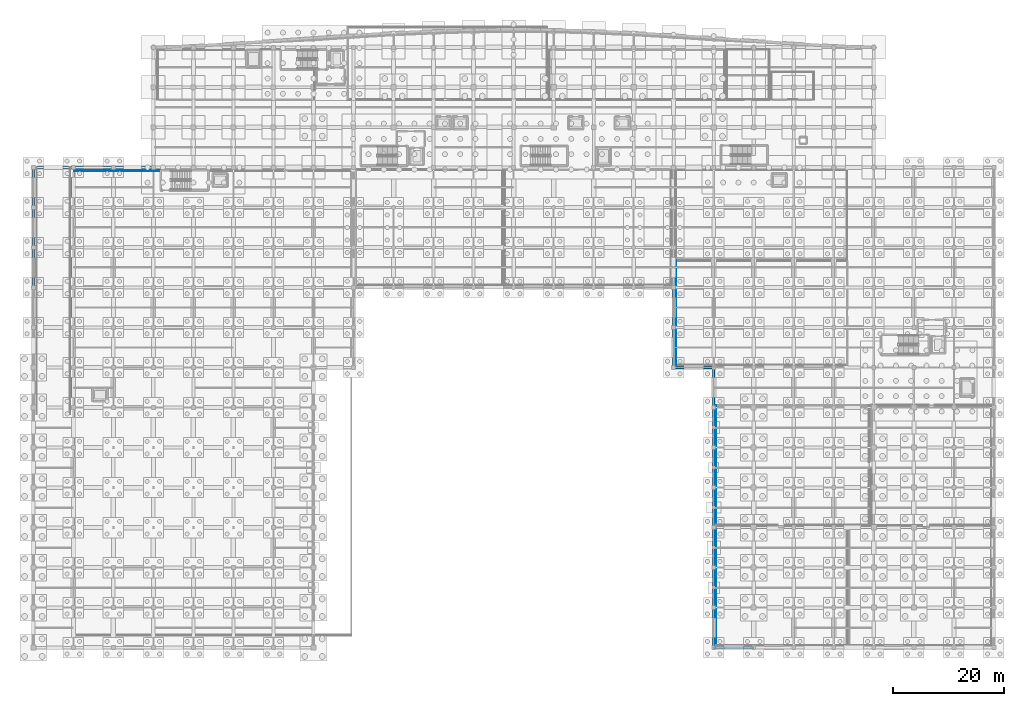
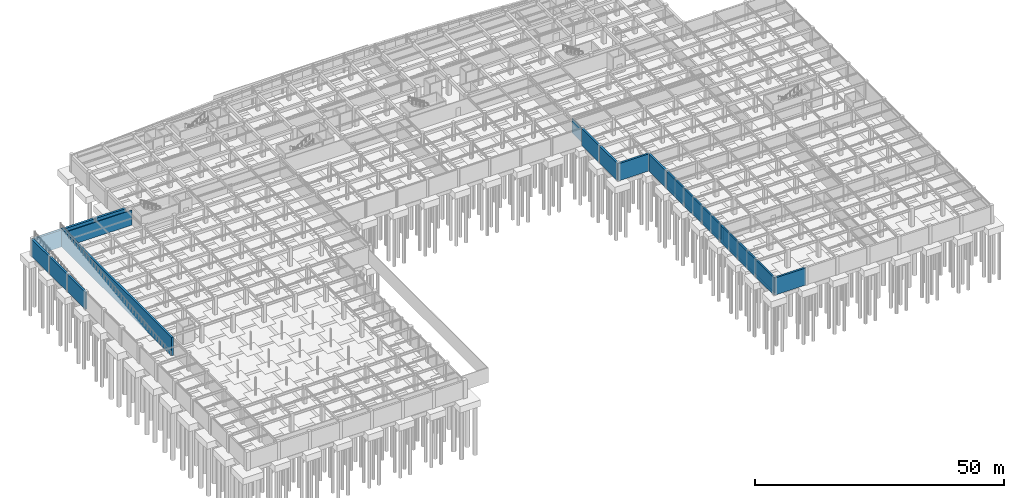
# One storey, part 35 of 48: 22 walls.
"""IFC4 building model written with IfcOpenShell, lengths in metres."""

from ifc_helpers import new_model, si_unit, direction, frame, frame_2d, origin, place, context, subcontext, project, spatial, rectangle, extrude, material, layer, layer_set, type_object, element, save


model = new_model("IFC4")

# Units and contexts
model_context = context("Model", 3, precision=1e-05, world=origin(), true_north=direction((0.0, 1.0)))
body_context = subcontext(model_context, "Body", "Model", "MODEL_VIEW")
ifc_project = project(units=[si_unit("LENGTHUNIT", "METRE"), si_unit("AREAUNIT", "SQUARE_METRE"), si_unit("VOLUMEUNIT", "CUBIC_METRE"), si_unit("PLANEANGLEUNIT", "RADIAN"), si_unit("MASSUNIT", "GRAM", prefix="KILO")], contexts=[model_context])

# Site, building, storey
site_placement = place(None, origin())
site = spatial("IfcSite", under=ifc_project, at=site_placement, CompositionType="ELEMENT")
building_placement = place(site_placement, origin())
building = spatial("IfcBuilding", under=site, at=building_placement, Name="Carrowvane Square Congress Hotel", CompositionType="ELEMENT")
storey_placement = place(building_placement, frame((0.0, 0.0, -4.5)))
storey = spatial("IfcBuildingStorey", under=building, at=storey_placement, Name="B01", CompositionType="ELEMENT", Elevation=-4.5)

# Walls
ifc_material_1 = material(Name="Acoustic gypsum board", Category="gypsum")
ifc_layer_1 = layer(ifc_material_1, 0.169921875)
ifc_layer_set_1 = layer_set([ifc_layer_1], Name="Acoustic gypsum board")
wall_type_1 = type_object("IfcWallType", Name="WL-FIR-170", PredefinedType="PARTITIONING", material=ifc_layer_set_1)
wall_1_placement = place(storey_placement, frame((134.39990234375, 5.800048828125, 0.0), z_axis=(0.0, 0.0, 1.0), x_axis=(0.0, 1.0, 0.0)))
element("IfcWall", 1, at=wall_1_placement, inside=storey, type_object=wall_type_1, Name="B01 ESB MV Substation and LV Switchroom partition", PredefinedType="PARTITIONING", context=body_context, shape_type="SweptSolid", body=[
    extrude(rectangle(XDim=20.7900390625, YDim=0.169921875, at=frame_2d((10.39501953125, 0.0))), origin(), (0.0, 0.0, 1.0), 3.648193359375),
])
ifc_material_2 = material(Name="Acoustic gypsum board", Category="gypsum")
ifc_layer_2 = layer(ifc_material_2, 0.137939453125)
ifc_layer_set_2 = layer_set([ifc_layer_2], Name="Acoustic gypsum board")
wall_type_2 = type_object("IfcWallType", Name="WL-PRT-138", PredefinedType="PARTITIONING", material=ifc_layer_set_2)
wall_2_placement = place(storey_placement, frame((134.39990234375, 27.39990234375, 0.0), z_axis=(0.0, 0.0, 1.0), x_axis=(0.0, 1.0, 0.0)))
element("IfcWall", 2, at=wall_2_placement, inside=storey, type_object=wall_type_2, Name="B01 Sprinkler Tank and Fire Pump Room partition", PredefinedType="PARTITIONING", context=body_context, shape_type="SweptSolid", body=[
    extrude(rectangle(XDim=21.60009765625, YDim=0.137939453125, at=frame_2d((10.800048828125, 0.0))), origin(), (0.0, 0.0, 1.0), 3.648193359375),
])
ifc_material_3 = material(Name="Acoustic gypsum board", Category="gypsum")
ifc_layer_3 = layer(ifc_material_3, 0.14794921875)
ifc_layer_set_3 = layer_set([ifc_layer_3], Name="Acoustic gypsum board")
wall_type_3 = type_object("IfcWallType", Name="WL-PRT-148", PredefinedType="PARTITIONING", material=ifc_layer_set_3)
wall_3_placement = place(storey_placement, frame((19.0, 91.199951171875, 0.0), z_axis=(0.0, 0.0, 1.0), x_axis=(1.0, 0.0, 0.0)))
element("IfcWall", 3, at=wall_3_placement, inside=storey, type_object=wall_type_3, Name="B01 Underground Car Park Loop and Bays partition", PredefinedType="PARTITIONING", context=body_context, shape_type="SweptSolid", body=[
    extrude(rectangle(XDim=15.330078125, YDim=0.14794921875, at=frame_2d((7.6650390625, 0.0))), origin(), (0.0, 0.0, 1.0), 3.648193359375),
])
wall_4_placement = place(storey_placement, frame((127.199951171875, 56.199951171875, 0.0), z_axis=(0.0, 0.0, 1.0), x_axis=(0.0, 1.0, 0.0)))
element("IfcWall", 4, at=wall_4_placement, inside=storey, type_object=wall_type_3, Name="B01 Central Chiller and Heat-Pump Plant Room partition", PredefinedType="PARTITIONING", context=body_context, shape_type="SweptSolid", body=[
    extrude(rectangle(XDim=18.800048828125, YDim=0.14794921875, at=frame_2d((9.39990234375, 0.0))), origin(), (0.0, 0.0, 1.0), 3.534912109375),
])
ifc_material_4 = material(Name="Concrete C35/45", Category="concrete")
ifc_layer_4 = layer(ifc_material_4, 0.449951171875)
ifc_layer_set_4 = layer_set([ifc_layer_4], Name="Concrete C35/45")
wall_type_4 = type_object("IfcWallType", Name="WL-RET-450", PredefinedType="SOLIDWALL", material=ifc_layer_set_4)
wall_5_placement = place(storey_placement, frame((11.60009765625, 70.199951171875, 0.0), z_axis=(0.0, 0.0, 1.0), x_axis=(0.0, 1.0, 0.0)))
element("IfcWall", 5, at=wall_5_placement, inside=storey, type_object=wall_type_4, Name="B01 perimeter retaining wall 10", PredefinedType="SOLIDWALL", context=body_context, shape_type="SweptSolid", body=[
    extrude(rectangle(XDim=7.199951171875, YDim=0.449951171875, at=frame_2d((3.60009765625, 0.0))), origin(), (0.0, 0.0, 1.0), 4.199951171875),
])
wall_6_placement = place(storey_placement, frame((11.60009765625, 77.39990234375, 0.0), z_axis=(0.0, 0.0, 1.0), x_axis=(0.0, 1.0, 0.0)))
element("IfcWall", 6, at=wall_6_placement, inside=storey, type_object=wall_type_4, Name="B01 perimeter retaining wall 11", PredefinedType="SOLIDWALL", context=body_context, shape_type="SweptSolid", body=[
    extrude(rectangle(XDim=7.2001953125, YDim=0.449951171875, at=frame_2d((3.60009765625, 0.0))), origin(), (0.0, 0.0, 1.0), 4.199951171875),
])
for number, where, z_axis, x_axis, name in (
    (7, (11.60009765625, 84.60009765625, 0.0), (0.0, 0.0, 1.0), (0.0, 1.0, 0.0), "B01 perimeter retaining wall 12"),
    (8, (141.199951171875, 5.39990234375, 0.0), (0.0, 0.0, 1.0), (-1.0, 0.0, 0.0), "B01 perimeter retaining wall 97"),
):
    element("IfcWall", number, at=place(storey_placement, frame(where, z_axis=z_axis, x_axis=x_axis)), inside=storey, type_object=wall_type_4, Name=name, PredefinedType="SOLIDWALL", context=body_context, shape_type="SweptSolid", body=[
        extrude(rectangle(XDim=7.199951171875, YDim=0.449951171875, at=frame_2d((3.60009765625, 0.0))), origin(), (0.0, 0.0, 1.0), 4.199951171875),
    ])
wall_7_placement = place(storey_placement, frame((134.0, 5.39990234375, 0.0), z_axis=(0.0, 0.0, 1.0), x_axis=(0.0, 1.0, 0.0)))
element("IfcWall", 9, at=wall_7_placement, inside=storey, type_object=wall_type_4, Name="B01 perimeter retaining wall 98", PredefinedType="SOLIDWALL", context=body_context, shape_type="SweptSolid", body=[
    extrude(rectangle(XDim=7.2001953125, YDim=0.449951171875, at=frame_2d((3.60009765625, 0.0))), origin(), (0.0, 0.0, 1.0), 4.199951171875),
])
for number, where, z_axis, x_axis, name in (
    (10, (134.0, 12.60009765625, 0.0), (0.0, 0.0, 1.0), (0.0, 1.0, 0.0), "B01 perimeter retaining wall 99"),
    (11, (134.0, 19.800048828125, 0.0), (0.0, 0.0, 1.0), (0.0, 1.0, 0.0), "B01 perimeter retaining wall 100"),
    (12, (134.0, 27.0, 0.0), (0.0, 0.0, 1.0), (0.0, 1.0, 0.0), "B01 perimeter retaining wall 101"),
    (13, (134.0, 34.199951171875, 0.0), (0.0, 0.0, 1.0), (0.0, 1.0, 0.0), "B01 perimeter retaining wall 102"),
):
    element("IfcWall", number, at=place(storey_placement, frame(where, z_axis=z_axis, x_axis=x_axis)), inside=storey, type_object=wall_type_4, Name=name, PredefinedType="SOLIDWALL", context=body_context, shape_type="SweptSolid", body=[
        extrude(rectangle(XDim=7.199951171875, YDim=0.449951171875, at=frame_2d((3.60009765625, 0.0))), origin(), (0.0, 0.0, 1.0), 4.199951171875),
    ])
wall_8_placement = place(storey_placement, frame((134.0, 41.39990234375, 0.0), z_axis=(0.0, 0.0, 1.0), x_axis=(0.0, 1.0, 0.0)))
element("IfcWall", 14, at=wall_8_placement, inside=storey, type_object=wall_type_4, Name="B01 perimeter retaining wall 103", PredefinedType="SOLIDWALL", context=body_context, shape_type="SweptSolid", body=[
    extrude(rectangle(XDim=7.2001953125, YDim=0.449951171875, at=frame_2d((3.60009765625, 0.0))), origin(), (0.0, 0.0, 1.0), 4.199951171875),
])
for number, where, z_axis, x_axis, name in (
    (15, (134.0, 48.60009765625, 0.0), (0.0, 0.0, 1.0), (0.0, 1.0, 0.0), "B01 perimeter retaining wall 104"),
    (16, (134.0, 55.800048828125, 0.0), (0.0, 0.0, 1.0), (-1.0, 0.0, 0.0), "B01 perimeter retaining wall 105"),
    (17, (126.800048828125, 55.800048828125, 0.0), (0.0, 0.0, 1.0), (0.0, 1.0, 0.0), "B01 perimeter retaining wall 106"),
    (18, (126.800048828125, 63.0, 0.0), (0.0, 0.0, 1.0), (0.0, 1.0, 0.0), "B01 perimeter retaining wall 107"),
):
    element("IfcWall", number, at=place(storey_placement, frame(where, z_axis=z_axis, x_axis=x_axis)), inside=storey, type_object=wall_type_4, Name=name, PredefinedType="SOLIDWALL", context=body_context, shape_type="SweptSolid", body=[
        extrude(rectangle(XDim=7.199951171875, YDim=0.449951171875, at=frame_2d((3.60009765625, 0.0))), origin(), (0.0, 0.0, 1.0), 4.199951171875),
    ])
wall_9_placement = place(storey_placement, frame((18.47509765625, 47.449951171875, 0.0), z_axis=(0.0, 0.0, 1.0), x_axis=(0.0, 1.0, 0.0)))
element("IfcWall", 19, at=wall_9_placement, inside=storey, type_object=wall_type_4, Name="B01 ramp structural flank wall 1", PredefinedType="SOLIDWALL", context=body_context, shape_type="SweptSolid", body=[
    extrude(rectangle(XDim=44.35009765625, YDim=0.449951171875, at=frame_2d((22.175048828125, 0.0))), origin(), (0.0, 0.0, 1.0), 4.5),
])
ifc_material_5 = material(Name="Concrete C35/45", Category="concrete")
ifc_layer_5 = layer(ifc_material_5, 0.5)
ifc_layer_set_5 = layer_set([ifc_layer_5], Name="Concrete C35/45")
wall_type_5 = type_object("IfcWallType", Name="WL-RET-500", PredefinedType="SOLIDWALL", material=ifc_layer_set_5)
for number, where, z_axis, x_axis, name in (
    (20, (11.60009765625, 91.800048828125, 0.0), (0.0, 0.0, 1.0), (1.0, 0.0, 0.0), "B01 perimeter retaining wall 13"),
    (21, (18.800048828125, 91.800048828125, 0.0), (0.0, 0.0, 1.0), (1.0, 0.0, 0.0), "B01 perimeter retaining wall 14"),
    (22, (26.0, 91.800048828125, 0.0), (0.0, 0.0, 1.0), (1.0, 0.0, 0.0), "B01 perimeter retaining wall 15"),
):
    element("IfcWall", number, at=place(storey_placement, frame(where, z_axis=z_axis, x_axis=x_axis)), inside=storey, type_object=wall_type_5, Name=name, PredefinedType="SOLIDWALL", context=body_context, shape_type="SweptSolid", body=[
        extrude(rectangle(XDim=7.199951171875, YDim=0.5, at=frame_2d((3.60009765625, 0.0))), origin(), (0.0, 0.0, 1.0), 4.199951171875),
    ])

save(model, "model.ifc")
